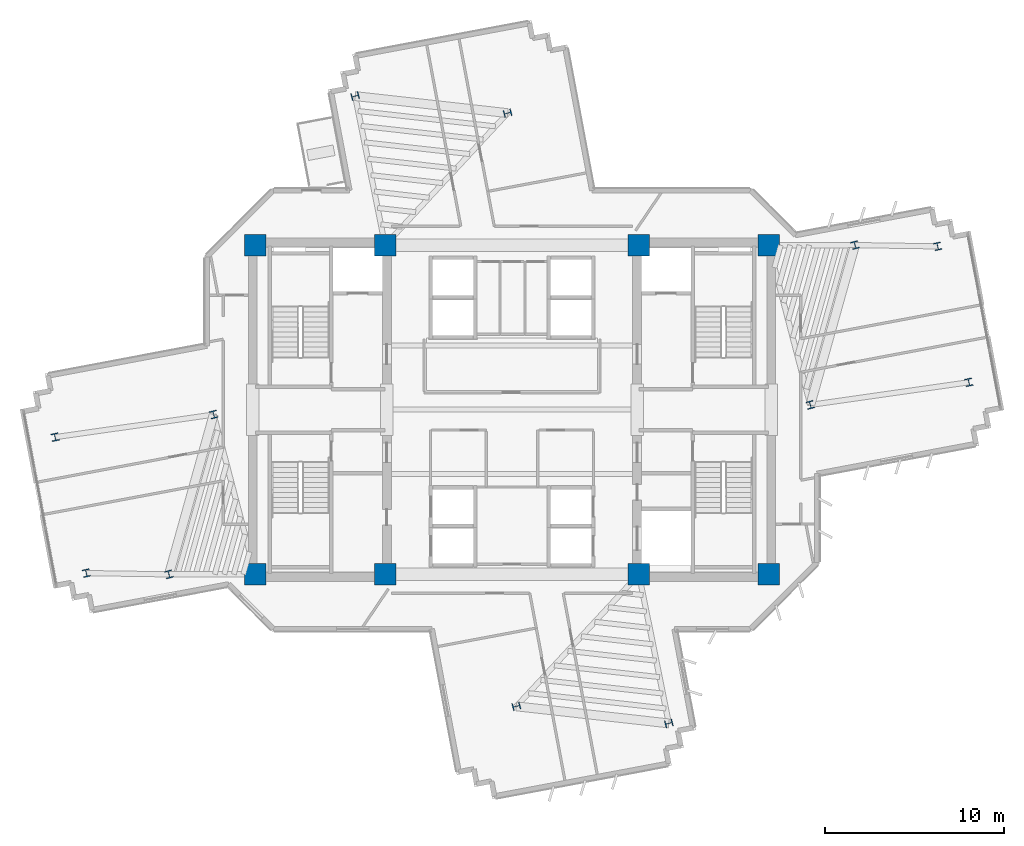
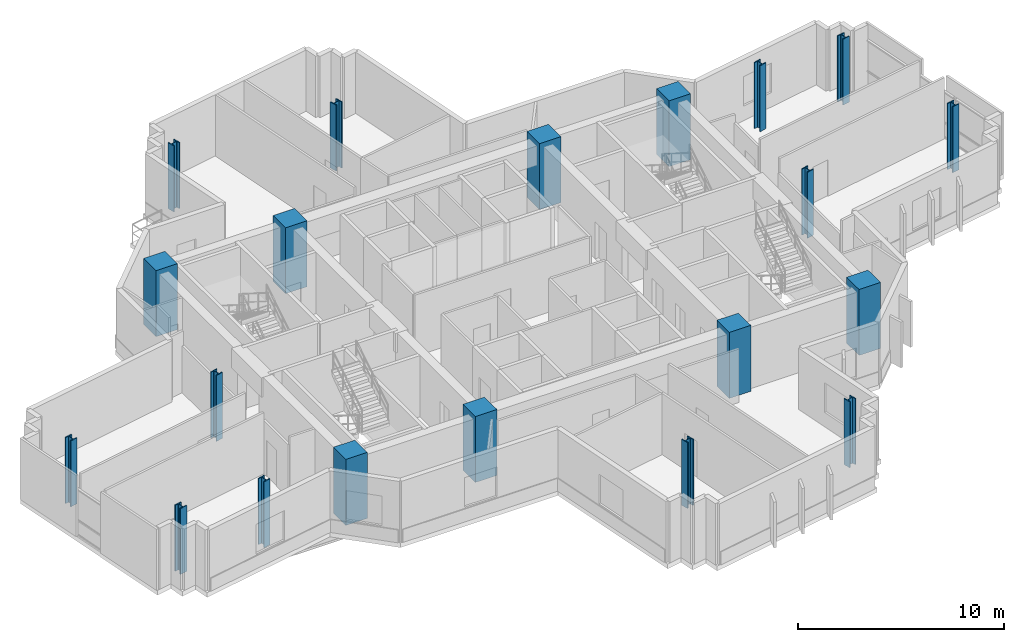
# One storey, part 1 of 16: 20 columns.
"""IFC4 building model written with IfcOpenShell, lengths in metres."""

from ifc_helpers import new_model, si_unit, direction, frame, origin, origin_2d, place, context, subcontext, project, spatial, rectangle, i_section, extrude, source, transform, mapped, material, material_profile, profile_set, type_object, element, save


model = new_model("IFC4")

# Units and contexts
model_context = context("Model", 3, precision=1e-05, world=origin(), true_north=direction((0.0, 1.0)))
body_context = subcontext(model_context, "Body", "Model", "MODEL_VIEW")
ifc_project = project(units=[si_unit("LENGTHUNIT", "METRE"), si_unit("AREAUNIT", "SQUARE_METRE"), si_unit("VOLUMEUNIT", "CUBIC_METRE"), si_unit("PLANEANGLEUNIT", "RADIAN"), si_unit("MASSUNIT", "GRAM", prefix="KILO")], contexts=[model_context])

# Site, building, storey
site_placement = place(None, origin())
site = spatial("IfcSite", under=ifc_project, at=site_placement, CompositionType="ELEMENT")
building_placement = place(site_placement, origin())
building = spatial("IfcBuilding", under=site, at=building_placement, Name="Zahravan Cultural Tower", CompositionType="ELEMENT")
storey_placement = place(building_placement, frame((0.0, 0.0, 147.300048828125)))
storey = spatial("IfcBuildingStorey", under=building, at=storey_placement, Name="L33", CompositionType="ELEMENT", Elevation=147.300048828125)

# Columns
ifc_material_1 = material(Name="Concrete C50/60", Category="concrete")
ifc_material_profile_1 = material_profile(ifc_material_1, rectangle(XDim=1.199951171875, YDim=1.199951171875, at=origin_2d()), Name="RC1200X1200")
ifc_profile_set_1 = profile_set([ifc_material_profile_1], Name="Concrete C50/60")
column_type_1 = type_object("IfcColumnType", Name="COL-RC1200", PredefinedType="COLUMN", material=ifc_profile_set_1)
shared_shape_1 = source(origin(), body_context, "Body", "SweptSolid", [
    extrude(rectangle(XDim=1.199951171875, YDim=1.199951171875, at=origin_2d()), origin(), (0.0, 0.0, 1.0), 3.89990234375),
])
for number, where, z_axis, x_axis, name in (
    (1, (21.64990234375, 17.800048828125, 0.0), (0.0, 0.0, 1.0), (1.0, 0.0, 0.0), "L33 Column CC-W1"),
    (2, (28.89990234375, 17.800048828125, 0.0), (0.0, 0.0, 1.0), (1.0, 0.0, 0.0), "L33 Column CC-W2"),
    (3, (21.64990234375, 36.199951171875, 0.0), (0.0, 0.0, 1.0), (1.0, 0.0, 0.0), "L33 Column CC-W3"),
    (4, (28.89990234375, 36.199951171875, 0.0), (0.0, 0.0, 1.0), (1.0, 0.0, 0.0), "L33 Column CC-W4"),
    (5, (43.10009765625, 17.800048828125, 0.0), (0.0, 0.0, 1.0), (1.0, 0.0, 0.0), "L33 Column CC-E1"),
    (6, (50.35009765625, 17.800048828125, 0.0), (0.0, 0.0, 1.0), (1.0, 0.0, 0.0), "L33 Column CC-E2"),
    (7, (43.10009765625, 36.199951171875, 0.0), (0.0, 0.0, 1.0), (1.0, 0.0, 0.0), "L33 Column CC-E3"),
    (8, (50.35009765625, 36.199951171875, 0.0), (0.0, 0.0, 1.0), (1.0, 0.0, 0.0), "L33 Column CC-E4"),
):
    element("IfcColumn", number, at=place(storey_placement, frame(where, z_axis=z_axis, x_axis=x_axis)), inside=storey, type_object=column_type_1, Name=name, PredefinedType="COLUMN", context=body_context, shape_type="MappedRepresentation", body=[
        mapped(shared_shape_1, transform((0.0, 0.0, 0.0), x_axis=(1.0, 0.0, 0.0), y_axis=(0.0, 1.0, 0.0), z_axis=(0.0, 0.0, 1.0), scale=1.0)),
    ])
ifc_material_2 = material(Name="Steel ASTM A992 Grade 50", Category="steel")
ifc_material_profile_2 = material_profile(ifc_material_2, i_section(OverallWidth=0.412109375, OverallDepth=0.43505859375, WebThickness=0.035888671875, FlangeThickness=0.057373046875, FilletRadius=0.01806640625, at=origin_2d()), Name="W14X311")
ifc_profile_set_2 = profile_set([ifc_material_profile_2], Name="Steel ASTM A992 Grade 50")
column_type_2 = type_object("IfcColumnType", Name="COL-W14X311", PredefinedType="COLUMN", material=ifc_profile_set_2)
shared_shape_2 = source(origin(), body_context, "Body", "SweptSolid", [
    extrude(i_section(OverallWidth=0.412109375, OverallDepth=0.43505859375, WebThickness=0.035888671875, FlangeThickness=0.057373046875, FilletRadius=0.01806640625, at=origin_2d()), origin(), (0.0, 0.0, 1.0), 3.89990234375),
])
for number, where, z_axis, x_axis, name in (
    (9, (52.684326171875, 27.27099609375, 0.0), (0.0, 0.0, 1.0), (0.966823388604, 0.255445757936, 0.0), "L33 Column Z2C-E1"),
    (10, (55.184814453125, 36.2060546875, 0.0), (0.0, 0.0, 1.0), (0.966823388604, 0.255445757936, 0.0), "L33 Column Z2C-E2"),
    (11, (35.754638671875, 43.587646484375, 0.0), (0.0, 0.0, 1.0), (-0.255445757936, 0.966823388604, 0.0), "L33 Column Z2C-N1"),
    (12, (27.22802734375, 44.541259765625, 0.0), (0.0, 0.0, 1.0), (-0.255445757936, 0.966823388604, 0.0), "L33 Column Z2C-N2"),
    (13, (19.315673828125, 26.72900390625, 0.0), (0.0, 0.0, 1.0), (0.966823388604, 0.255445757936, 0.0), "L33 Column Z2C-W1"),
    (14, (16.815185546875, 17.7939453125, 0.0), (0.0, 0.0, 1.0), (0.966823388604, 0.255445757936, 0.0), "L33 Column Z2C-W2"),
    (15, (36.245361328125, 10.412353515625, 0.0), (0.0, 0.0, 1.0), (-0.255445757936, 0.966823388604, 0.0), "L33 Column Z2C-S1"),
    (16, (44.77197265625, 9.458740234375, 0.0), (0.0, 0.0, 1.0), (-0.255445757936, 0.966823388604, 0.0), "L33 Column Z2C-S2"),
    (17, (61.552734375, 28.53466796875, 0.0), (0.0, 0.0, 1.0), (0.977415894286, 0.211324796455, 0.0), "L33 Column Z2T-E1"),
    (18, (59.806640625, 36.13720703125, 0.0), (0.0, 0.0, 1.0), (0.977415894286, 0.211324796455, 0.0), "L33 Column Z2T-E2"),
    (19, (10.447265625, 25.46533203125, 0.0), (0.0, 0.0, 1.0), (0.977415894286, 0.211324796455, 0.0), "L33 Column Z2T-W1"),
    (20, (12.193359375, 17.86279296875, 0.0), (0.0, 0.0, 1.0), (0.977415894286, 0.211324796455, 0.0), "L33 Column Z2T-W2"),
):
    element("IfcColumn", number, at=place(storey_placement, frame(where, z_axis=z_axis, x_axis=x_axis)), inside=storey, type_object=column_type_2, Name=name, PredefinedType="COLUMN", context=body_context, shape_type="MappedRepresentation", body=[
        mapped(shared_shape_2, transform((0.0, 0.0, 0.0), x_axis=(1.0, 0.0, 0.0), y_axis=(0.0, 1.0, 0.0), z_axis=(0.0, 0.0, 1.0), scale=1.0)),
    ])

save(model, "model.ifc")
